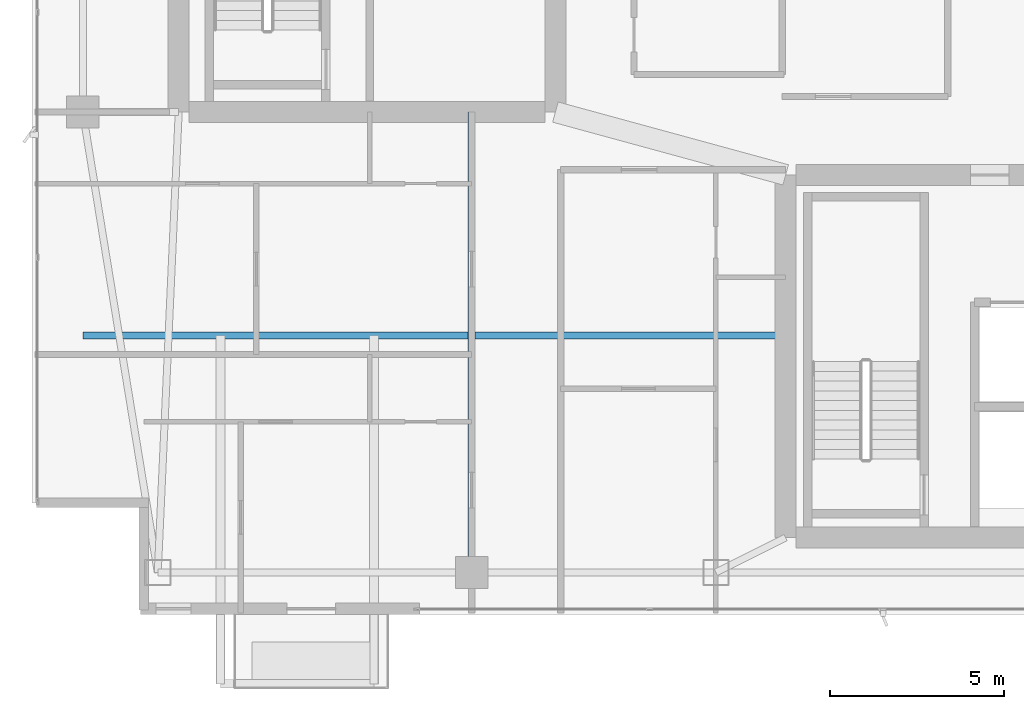
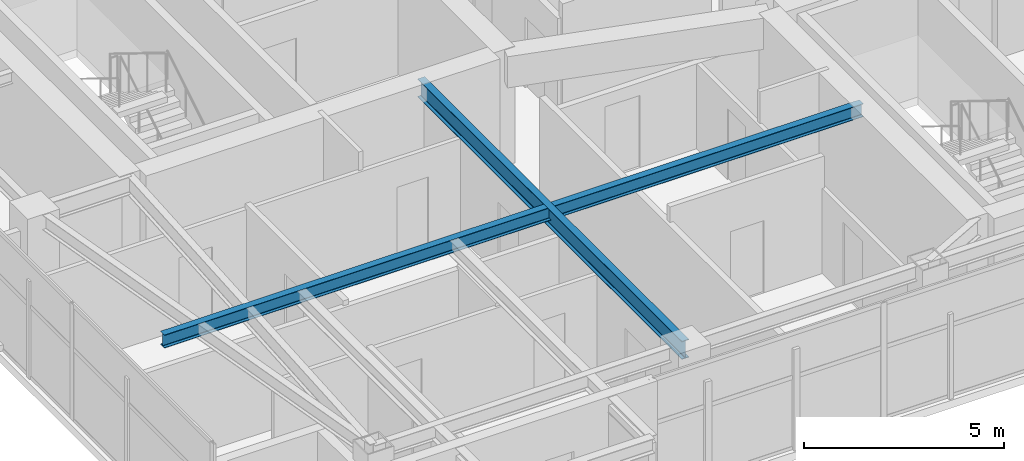
# One storey, part 6 of 27: 2 beams.
"""IFC4 building model written with IfcOpenShell, lengths in metres."""

from ifc_helpers import new_model, si_unit, direction, frame, origin, origin_2d, place, context, subcontext, project, spatial, i_section, extrude, material, material_profile, profile_set, type_object, element, save


model = new_model("IFC4")

# Units and contexts
model_context = context("Model", 3, precision=1e-05, world=origin(), true_north=direction((0.0, 1.0)))
body_context = subcontext(model_context, "Body", "Model", "MODEL_VIEW")
ifc_project = project(units=[si_unit("LENGTHUNIT", "METRE"), si_unit("AREAUNIT", "SQUARE_METRE"), si_unit("VOLUMEUNIT", "CUBIC_METRE"), si_unit("PLANEANGLEUNIT", "RADIAN"), si_unit("MASSUNIT", "GRAM", prefix="KILO")], contexts=[model_context])

# Site, building, storey
site_placement = place(None, origin())
site = spatial("IfcSite", under=ifc_project, at=site_placement, CompositionType="ELEMENT")
building_placement = place(site_placement, origin())
building = spatial("IfcBuilding", under=site, at=building_placement, Name="Calvorn Quay Hotel", CompositionType="ELEMENT")
storey_placement = place(building_placement, frame((0.0, 0.0, 298.699951171875)))
storey = spatial("IfcBuildingStorey", under=building, at=storey_placement, Name="L74", CompositionType="ELEMENT", Elevation=298.699951171875)

# Beams
ifc_material_1 = material(Name="Steel Q355B", Category="steel")
ifc_material_profile_1 = material_profile(ifc_material_1, i_section(OverallWidth=0.199951171875, OverallDepth=0.550048828125, WebThickness=0.010009765625, FlangeThickness=0.01611328125, FilletRadius=0.01806640625, at=origin_2d()), Name="HN550x200x10x16")
ifc_profile_set_1 = profile_set([ifc_material_profile_1], Name="Steel Q355B")
beam_type_1 = type_object("IfcBeamType", Name="BM-GIRD-UPP", PredefinedType="BEAM", material=ifc_profile_set_1)
beam_1_placement = place(storey_placement, frame((12.60009765625, 3.60009765625, 3.26513671875), z_axis=(0.0, 1.0, 0.0), x_axis=(-1.0, 0.0, 0.0)))
element("IfcBeam", 1, at=beam_1_placement, inside=storey, type_object=beam_type_1, Name="Beam BG-L74-S1", PredefinedType="BEAM", context=body_context, shape_type="SweptSolid", body=[
    extrude(i_section(OverallWidth=0.199951171875, OverallDepth=0.550048828125, WebThickness=0.010009765625, FlangeThickness=0.01611328125, FilletRadius=0.01806640625, at=origin_2d()), origin(), (0.0, 0.0, 1.0), 13.199951171875),
])
ifc_material_2 = material(Name="Steel Q355B", Category="steel")
ifc_material_profile_2 = material_profile(ifc_material_2, i_section(OverallWidth=0.199951171875, OverallDepth=0.39990234375, WebThickness=0.008056640625, FlangeThickness=0.012939453125, FilletRadius=0.01611328125, at=origin_2d()), Name="HN400x200x8x13")
ifc_profile_set_2 = profile_set([ifc_material_profile_2], Name="Steel Q355B")
beam_type_2 = type_object("IfcBeamType", Name="BM-JOIST-TYP", PredefinedType="JOIST", material=ifc_profile_set_2)
beam_2_placement = place(storey_placement, frame((1.449951171875, 10.39990234375, 3.340087890625), z_axis=(1.0, 0.0, 0.0), x_axis=(0.0, 1.0, 0.0)))
element("IfcBeam", 2, at=beam_2_placement, inside=storey, type_object=beam_type_2, Name="Beam BJ-L74-W1", PredefinedType="JOIST", context=body_context, shape_type="SweptSolid", body=[
    extrude(i_section(OverallWidth=0.199951171875, OverallDepth=0.39990234375, WebThickness=0.008056640625, FlangeThickness=0.012939453125, FilletRadius=0.01611328125, at=origin_2d()), origin(), (0.0, 0.0, 1.0), 20.150146484375),
])

save(model, "model.ifc")
